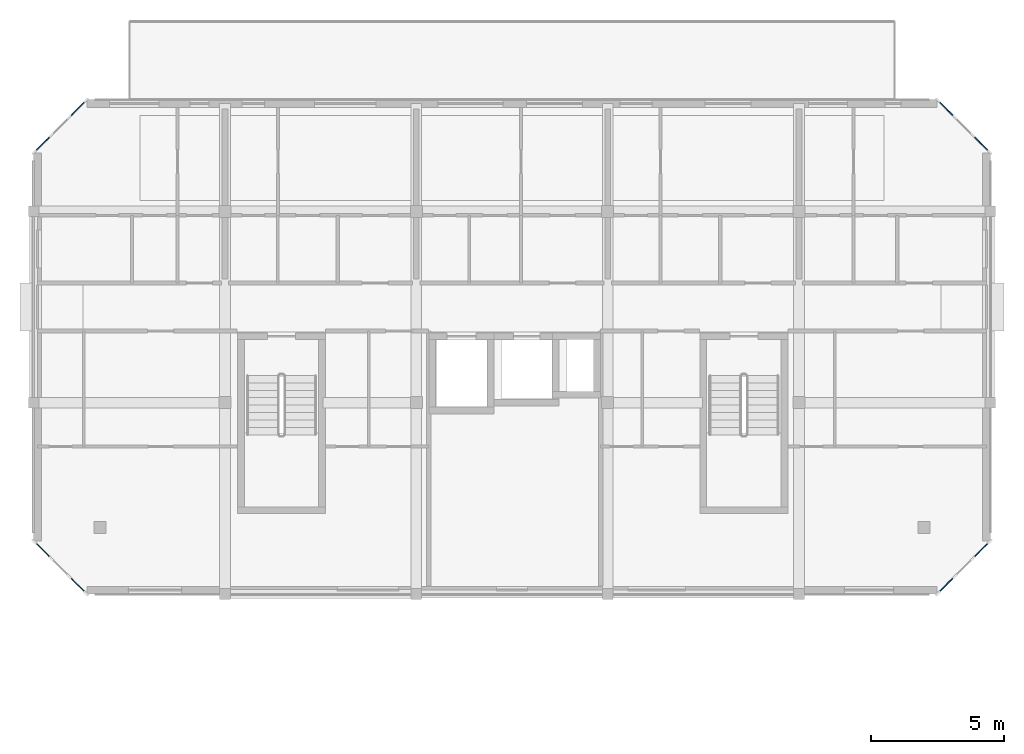
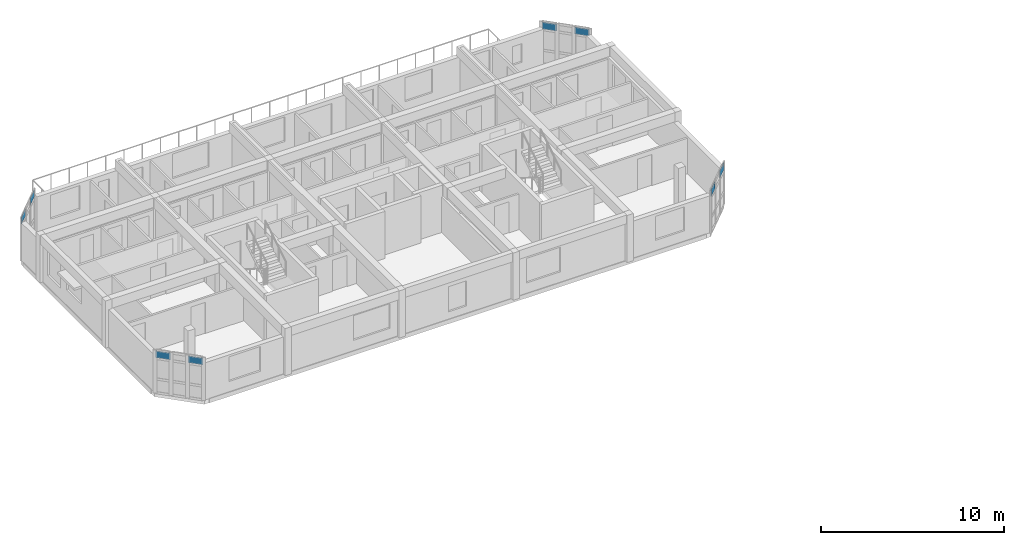
# One storey, part 9 of 16: 8 plates, 4 elements without a shape of their own.
"""IFC4 building model written with IfcOpenShell, lengths in metres."""

from ifc_helpers import new_model, si_unit, direction, frame, origin, origin_2d, place, context, subcontext, project, spatial, rectangle, extrude, material, layer, layer_set, type_object, element, aggregate, save


model = new_model("IFC4")

# Units and contexts
model_context = context("Model", 3, precision=1e-05, world=origin(), true_north=direction((0.0, 1.0)))
body_context = subcontext(model_context, "Body", "Model", "MODEL_VIEW")
ifc_project = project(units=[si_unit("LENGTHUNIT", "METRE"), si_unit("AREAUNIT", "SQUARE_METRE"), si_unit("VOLUMEUNIT", "CUBIC_METRE"), si_unit("PLANEANGLEUNIT", "RADIAN"), si_unit("MASSUNIT", "GRAM", prefix="KILO")], contexts=[model_context])

# Site, building, storey
site_placement = place(None, origin())
site = spatial("IfcSite", under=ifc_project, at=site_placement, CompositionType="ELEMENT")
building_placement = place(site_placement, origin())
building = spatial("IfcBuilding", under=site, at=building_placement, Name="Ochrevale Crest", CompositionType="ELEMENT")
storey_placement = place(building_placement, frame((0.0, 0.0, 46.5)))
storey = spatial("IfcBuildingStorey", under=building, at=storey_placement, Name="L14", CompositionType="ELEMENT", Elevation=46.5)

# Curtain wall, plates
ifc_material_1 = material(Name="Anodised aluminium 6063-T5", Category="aluminium")
ifc_layer_1 = layer(ifc_material_1, 0.14990234375)
ifc_layer_set_1 = layer_set([ifc_layer_1], Name="Anodised aluminium 6063-T5")
curtain_wall_type_1 = type_object("IfcCurtainWallType", Name="CW-WG-240x285", PredefinedType="NOTDEFINED", material=ifc_layer_set_1)
curtain_wall_1_placement = place(storey_placement, origin())
curtain_wall_1 = element("IfcCurtainWall", 1, at=curtain_wall_1_placement, inside=storey, type_object=curtain_wall_type_1, Name="Block D L14 chamfered corner wintergarden curtain wall 6", PredefinedType="NOTDEFINED")
ifc_material_2 = material(Name="Double-glazed low-E insulated glass unit", Category="glass")
ifc_layer_2 = layer(ifc_material_2, 0.028076171875)
ifc_layer_set_2 = layer_set([ifc_layer_2], Name="Double-glazed low-E insulated glass unit")
plate_type_1 = type_object("IfcPlateType", Name="CW-PNL-IGU28", PredefinedType="CURTAIN_PANEL", material=ifc_layer_set_2)
plate_1_placement = place(storey_placement, frame((131.25341796875, 90.25341796875, 2.35498046875), z_axis=(0.0, 0.0, 1.0), x_axis=(-0.707106781187, -0.707106781187, 0.0)))
plate_1 = element("IfcPlate", 2, at=plate_1_placement, type_object=plate_type_1, Name="CW15 panel 1.3", PredefinedType="CURTAIN_PANEL", context=body_context, shape_type="SweptSolid", body=[
    extrude(rectangle(XDim=0.830322265625, YDim=0.028076171875, at=origin_2d()), origin(), (0.0, 0.0, 1.0), 0.4599609375),
])
plate_2_placement = place(storey_placement, frame((129.946533203125, 88.946533203125, 2.35498046875), z_axis=(0.0, 0.0, 1.0), x_axis=(-0.707106781187, -0.707106781187, 0.0)))
plate_2 = element("IfcPlate", 3, at=plate_2_placement, type_object=plate_type_1, Name="CW15 panel 3.3", PredefinedType="CURTAIN_PANEL", context=body_context, shape_type="SweptSolid", body=[
    extrude(rectangle(XDim=0.830322265625, YDim=0.028076171875, at=origin_2d()), origin(), (0.0, 0.0, 1.0), 0.4599609375),
])
aggregate(curtain_wall_1, [plate_1, plate_2])

ifc_layer_3 = layer(ifc_material_1, 0.14990234375)
ifc_layer_set_3 = layer_set([ifc_layer_3], Name="Anodised aluminium 6063-T5")
curtain_wall_type_2 = type_object("IfcCurtainWallType", Name="CW-WG-320x285", PredefinedType="NOTDEFINED", material=ifc_layer_set_3)
curtain_wall_2_placement = place(storey_placement, origin())
curtain_wall_2 = element("IfcCurtainWall", 4, at=curtain_wall_2_placement, inside=storey, type_object=curtain_wall_type_2, Name="Block D L14 chamfered corner wintergarden curtain wall 8", PredefinedType="NOTDEFINED")
plate_3_placement = place(storey_placement, frame((129.946533203125, 73.6533203125, 2.35498046875), z_axis=(0.0, 0.0, 1.0), x_axis=(0.707106781187, -0.707106781187, 0.0)))
plate_3 = element("IfcPlate", 5, at=plate_3_placement, type_object=plate_type_1, Name="CW17 panel 1.3", PredefinedType="CURTAIN_PANEL", context=body_context, shape_type="SweptSolid", body=[
    extrude(rectangle(XDim=0.830322265625, YDim=0.028076171875, at=origin_2d()), origin(), (0.0, 0.0, 1.0), 0.4599609375),
])
plate_4_placement = place(storey_placement, frame((131.25341796875, 72.3466796875, 2.35498046875), z_axis=(0.0, 0.0, 1.0), x_axis=(0.707106781187, -0.707106781187, 0.0)))
plate_4 = element("IfcPlate", 6, at=plate_4_placement, type_object=plate_type_1, Name="CW17 panel 3.3", PredefinedType="CURTAIN_PANEL", context=body_context, shape_type="SweptSolid", body=[
    extrude(rectangle(XDim=0.830322265625, YDim=0.028076171875, at=origin_2d()), origin(), (0.0, 0.0, 1.0), 0.4599609375),
])
aggregate(curtain_wall_2, [plate_3, plate_4])

ifc_layer_4 = layer(ifc_material_1, 0.14990234375)
ifc_layer_set_4 = layer_set([ifc_layer_4], Name="Anodised aluminium 6063-T5")
curtain_wall_type_3 = type_object("IfcCurtainWallType", Name="CW-WG-280x285", PredefinedType="NOTDEFINED", material=ifc_layer_set_4)
curtain_wall_3_placement = place(storey_placement, origin())
curtain_wall_3 = element("IfcCurtainWall", 7, at=curtain_wall_3_placement, inside=storey, type_object=curtain_wall_type_3, Name="Block D L14 chamfered corner wintergarden curtain wall 2", PredefinedType="NOTDEFINED")
ifc_material_3 = material(Name="Acoustic laminated low-E insulated glass unit", Category="glass")
ifc_layer_5 = layer(ifc_material_3, 0.0380859375)
ifc_layer_set_5 = layer_set([ifc_layer_5], Name="Acoustic laminated low-E insulated glass unit")
plate_type_2 = type_object("IfcPlateType", Name="CW-PNL-IGU38", PredefinedType="CURTAIN_PANEL", material=ifc_layer_set_5)
plate_5_placement = place(storey_placement, frame((163.946533203125, 72.3466796875, 2.35498046875), z_axis=(0.0, 0.0, 1.0), x_axis=(0.707106781187, 0.707106781187, 0.0)))
plate_5 = element("IfcPlate", 8, at=plate_5_placement, type_object=plate_type_2, Name="CW16 panel 1.3", PredefinedType="CURTAIN_PANEL", context=body_context, shape_type="SweptSolid", body=[
    extrude(rectangle(XDim=0.830322265625, YDim=0.0380859375, at=origin_2d()), origin(), (0.0, 0.0, 1.0), 0.4599609375),
])
plate_6_placement = place(storey_placement, frame((165.25341796875, 73.6533203125, 2.35498046875), z_axis=(0.0, 0.0, 1.0), x_axis=(0.707106781187, 0.707106781187, 0.0)))
plate_6 = element("IfcPlate", 9, at=plate_6_placement, type_object=plate_type_2, Name="CW16 panel 3.3", PredefinedType="CURTAIN_PANEL", context=body_context, shape_type="SweptSolid", body=[
    extrude(rectangle(XDim=0.830322265625, YDim=0.0380859375, at=origin_2d()), origin(), (0.0, 0.0, 1.0), 0.4599609375),
])
aggregate(curtain_wall_3, [plate_5, plate_6])

ifc_layer_6 = layer(ifc_material_1, 0.14990234375)
ifc_layer_set_6 = layer_set([ifc_layer_6], Name="Anodised aluminium 6063-T5")
curtain_wall_type_4 = type_object("IfcCurtainWallType", Name="CW-WG-360x285", PredefinedType="NOTDEFINED", material=ifc_layer_set_6)
curtain_wall_4_placement = place(storey_placement, origin())
curtain_wall_4 = element("IfcCurtainWall", 10, at=curtain_wall_4_placement, inside=storey, type_object=curtain_wall_type_4, Name="Block D L14 chamfered corner wintergarden curtain wall 4", PredefinedType="NOTDEFINED")
plate_7_placement = place(storey_placement, frame((165.25341796875, 88.946533203125, 2.35498046875), z_axis=(0.0, 0.0, 1.0), x_axis=(-0.707106781187, 0.707106781187, 0.0)))
plate_7 = element("IfcPlate", 11, at=plate_7_placement, type_object=plate_type_2, Name="CW18 panel 1.3", PredefinedType="CURTAIN_PANEL", context=body_context, shape_type="SweptSolid", body=[
    extrude(rectangle(XDim=0.830322265625, YDim=0.0380859375, at=origin_2d()), origin(), (0.0, 0.0, 1.0), 0.4599609375),
])
plate_8_placement = place(storey_placement, frame((163.946533203125, 90.25341796875, 2.35498046875), z_axis=(0.0, 0.0, 1.0), x_axis=(-0.707106781187, 0.707106781187, 0.0)))
plate_8 = element("IfcPlate", 12, at=plate_8_placement, type_object=plate_type_2, Name="CW18 panel 3.3", PredefinedType="CURTAIN_PANEL", context=body_context, shape_type="SweptSolid", body=[
    extrude(rectangle(XDim=0.830322265625, YDim=0.0380859375, at=origin_2d()), origin(), (0.0, 0.0, 1.0), 0.4599609375),
])
aggregate(curtain_wall_4, [plate_7, plate_8])

save(model, "model.ifc")
